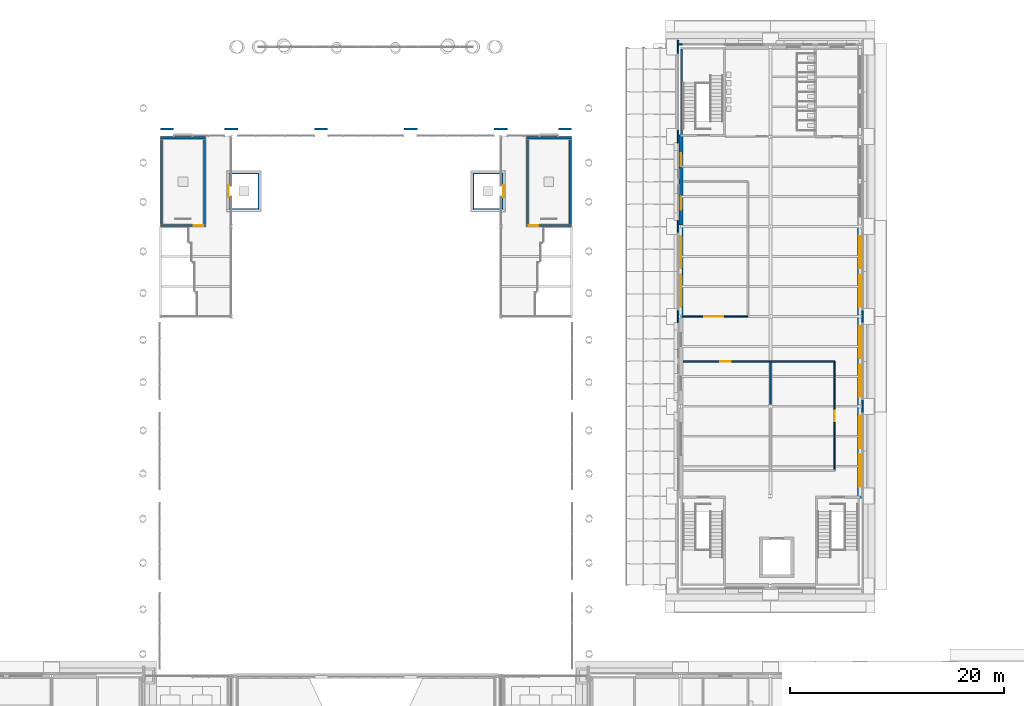
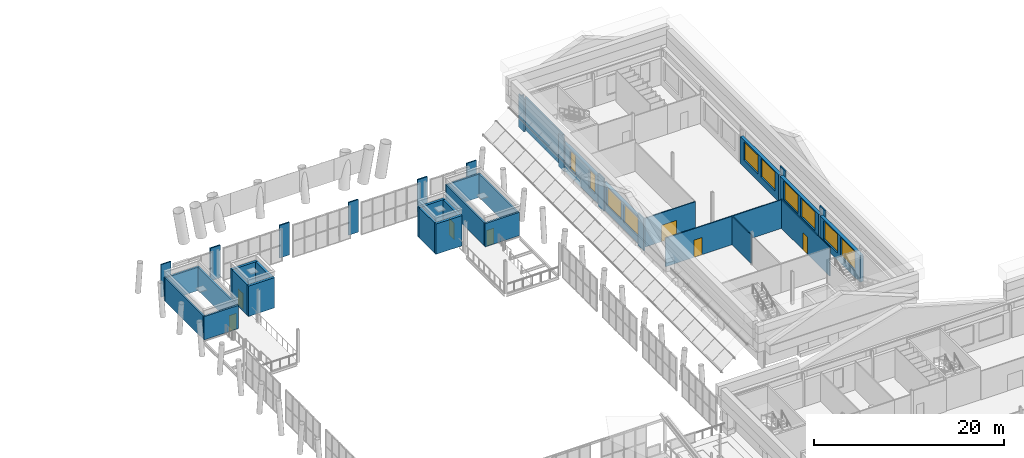
# One storey, part 46 of 76: 40 walls, 10 windows, 7 doors, 17 openings.
"""IFC4 building model written with IfcOpenShell, lengths in metres."""

from ifc_helpers import new_model, si_unit, direction, frame, frame_2d, origin, place, context, subcontext, project, spatial, rectangle, extrude, material, layer, layer_set, type_object, element, fill, save


model = new_model("IFC4")

# Units and contexts
model_context = context("Model", 3, precision=1e-05, world=origin(), true_north=direction((0.0, 1.0)))
body_context = subcontext(model_context, "Body", "Model", "MODEL_VIEW")
ifc_project = project(units=[si_unit("LENGTHUNIT", "METRE"), si_unit("AREAUNIT", "SQUARE_METRE"), si_unit("VOLUMEUNIT", "CUBIC_METRE"), si_unit("PLANEANGLEUNIT", "RADIAN"), si_unit("MASSUNIT", "GRAM", prefix="KILO")], contexts=[model_context])

# Site, building, storey
site_placement = place(None, origin())
site = spatial("IfcSite", under=ifc_project, at=site_placement, CompositionType="ELEMENT")
building_placement = place(site_placement, origin())
building = spatial("IfcBuilding", under=site, at=building_placement, Name="Sava Quay Ferry Terminal", CompositionType="ELEMENT")
storey_placement = place(building_placement, frame((0.0, 0.0, 10.800048828125)))
storey = spatial("IfcBuildingStorey", under=building, at=storey_placement, Name="L02", CompositionType="ELEMENT", Elevation=10.800048828125)

# Walls
ifc_material_1 = material(Name="Limestone Mutalj", Category="masonry")
ifc_layer_1 = layer(ifc_material_1, 0.14990234375)
ifc_layer_set_1 = layer_set([ifc_layer_1], Name="Limestone Mutalj")
wall_type_1 = type_object("IfcWallType", Name="Pier cladding 150", PredefinedType="SOLIDWALL", material=ifc_layer_set_1)
wall_1_placement = place(storey_placement, frame((92.10009765625, 109.43505859375, 0.0), z_axis=(0.0, 0.0, 1.0), x_axis=(1.0, 0.0, 0.0)))
element("IfcWall", 1, at=wall_1_placement, inside=storey, type_object=wall_type_1, Name="Pier O-N grid 92.4", PredefinedType="SOLIDWALL", context=body_context, shape_type="SweptSolid", body=[
    extrude(rectangle(XDim=0.449951171875, YDim=0.14990234375, at=frame_2d((0.22509765625, 0.0))), origin(), (0.0, 0.0, 1.0), 4.199951171875),
])
wall_2_placement = place(storey_placement, frame((109.425048828125, 75.0, 0.0), z_axis=(0.0, 0.0, 1.0), x_axis=(0.0, 1.0, 0.0)))
element("IfcWall", 2, at=wall_2_placement, inside=storey, type_object=wall_type_1, Name="Pier O-E grid 75.6", PredefinedType="SOLIDWALL", context=body_context, shape_type="SweptSolid", body=[
    extrude(rectangle(XDim=1.199951171875, YDim=0.14990234375, at=frame_2d((0.60009765625, 0.0))), origin(), (0.0, 0.0, 1.0), 4.199951171875),
])
for number, where, z_axis, x_axis, name in (
    (3, (109.425048828125, 83.39990234375, 0.0), (0.0, 0.0, 1.0), (0.0, 1.0, 0.0), "Pier O-E grid 84"),
    (4, (92.175048828125, 83.39990234375, 0.0), (0.0, 0.0, 1.0), (0.0, 1.0, 0.0), "Pier O-W grid 84"),
):
    element("IfcWall", number, at=place(storey_placement, frame(where, z_axis=z_axis, x_axis=x_axis)), inside=storey, type_object=wall_type_1, Name=name, PredefinedType="SOLIDWALL", context=body_context, shape_type="SweptSolid", body=[
        extrude(rectangle(XDim=1.2001953125, YDim=0.14990234375, at=frame_2d((0.60009765625, 0.0))), origin(), (0.0, 0.0, 1.0), 4.199951171875),
    ])
for number, where, z_axis, x_axis, name in (
    (5, (92.175048828125, 91.800048828125, 0.0), (0.0, 0.0, 1.0), (0.0, 1.0, 0.0), "Pier O-W grid 92.4"),
    (6, (92.175048828125, 100.199951171875, 0.0), (0.0, 0.0, 1.0), (0.0, 1.0, 0.0), "Pier O-W grid 100.8"),
    (7, (92.175048828125, 108.60009765625, 0.0), (0.0, 0.0, 1.0), (0.0, 1.0, 0.0), "Pier O-W grid 109.2"),
    (8, (43.800048828125, 101.52490234375, 0.0), (0.0, 0.0, 1.0), (1.0, 0.0, 0.0), "Pier D-N 44.4"),
    (9, (49.800048828125, 101.52490234375, 0.0), (0.0, 0.0, 1.0), (1.0, 0.0, 0.0), "Pier D-N 50.4"),
    (10, (58.199951171875, 101.52490234375, 0.0), (0.0, 0.0, 1.0), (1.0, 0.0, 0.0), "Pier D-N 58.8"),
    (11, (66.60009765625, 101.52490234375, 0.0), (0.0, 0.0, 1.0), (1.0, 0.0, 0.0), "Pier D-N 67.2"),
    (12, (75.0, 101.52490234375, 0.0), (0.0, 0.0, 1.0), (1.0, 0.0, 0.0), "Pier D-N 75.6"),
    (13, (81.0, 101.52490234375, 0.0), (0.0, 0.0, 1.0), (1.0, 0.0, 0.0), "Pier D-N 81.6"),
):
    element("IfcWall", number, at=place(storey_placement, frame(where, z_axis=z_axis, x_axis=x_axis)), inside=storey, type_object=wall_type_1, Name=name, PredefinedType="SOLIDWALL", context=body_context, shape_type="SweptSolid", body=[
        extrude(rectangle(XDim=1.199951171875, YDim=0.14990234375, at=frame_2d((0.60009765625, 0.0))), origin(), (0.0, 0.0, 1.0), 4.199951171875),
    ])

# Wall, opening, door
ifc_material_2 = material(Name="Concrete C35/45", Category="concrete")
ifc_layer_2 = layer(ifc_material_2, 0.199951171875)
ifc_layer_set_2 = layer_set([ifc_layer_2], Name="Concrete C35/45")
wall_type_2 = type_object("IfcWallType", Name="RC core wall 200", PredefinedType="SHEAR", material=ifc_layer_set_2)
wall_3_placement = place(storey_placement, frame((43.800048828125, 92.5, 0.0), z_axis=(0.0, 0.0, 1.0), x_axis=(1.0, 0.0, 0.0)))
wall_3 = element("IfcWall", 14, at=wall_3_placement, inside=storey, type_object=wall_type_2, Name="Core wall ST-D5 S L02", PredefinedType="SHEAR", context=body_context, shape_type="SweptSolid", body=[
    extrude(rectangle(XDim=4.199951171875, YDim=0.199951171875, at=frame_2d((2.10009765625, 0.0))), origin(), (0.0, 0.0, 1.0), 3.0),
])
opening_1_placement = place(wall_3_placement, frame((3.080078125, 0.0, 0.0)))
opening_1 = element("IfcOpeningElement", 15, at=opening_1_placement, cuts=wall_3, Name="Opening DS0204", PredefinedType="OPENING", context=body_context, shape_type="SweptSolid", body=[
    extrude(rectangle(XDim=0.89990234375, YDim=2.0, at=frame_2d((0.449951171875, 1.0))), frame((0.0, 0.10009765625, 0.0), z_axis=(0.0, -1.0, 0.0), x_axis=(1.0, 0.0, 0.0)), (0.0, 0.0, 1.0), 0.199951171875),
])
ifc_material_3 = material(Name="Steel fire door set", Category="steel")
door_type_1 = type_object("IfcDoorType", Name="Stair fire door 900 x 2000", OperationType="NOTDEFINED", PredefinedType="DOOR", material=ifc_material_3)
door_1_placement = place(opening_1_placement, origin())
door_1 = element("IfcDoor", 16, at=door_1_placement, inside=storey, type_object=door_type_1, Name="Door DS0204", OperationType="SINGLE_SWING_RIGHT", OverallHeight=2.0, OverallWidth=0.89990234375, PredefinedType="DOOR", context=body_context, shape_type="SweptSolid", body=[
    extrude(rectangle(XDim=0.89990234375, YDim=2.0, at=frame_2d((0.449951171875, 1.0))), frame((0.0, 0.02490234375, 0.0), z_axis=(0.0, -1.0, 0.0), x_axis=(1.0, 0.0, 0.0)), (0.0, 0.0, 1.0), 0.050048828125),
])
fill(opening_1, door_1)

# Walls
wall_4_placement = place(storey_placement, frame((43.800048828125, 100.699951171875, 0.0), z_axis=(0.0, 0.0, 1.0), x_axis=(1.0, 0.0, 0.0)))
element("IfcWall", 17, at=wall_4_placement, inside=storey, type_object=wall_type_2, Name="Core wall ST-D5 N L02", PredefinedType="SHEAR", context=body_context, shape_type="SweptSolid", body=[
    extrude(rectangle(XDim=4.199951171875, YDim=0.199951171875, at=frame_2d((2.10009765625, 0.0))), origin(), (0.0, 0.0, 1.0), 3.0),
])
for number, where, z_axis, x_axis, name in (
    (18, (43.89990234375, 92.60009765625, 0.0), (0.0, 0.0, 1.0), (0.0, 1.0, 0.0), "Core wall ST-D5 W L02"),
    (19, (47.89990234375, 92.60009765625, 0.0), (0.0, 0.0, 1.0), (0.0, 1.0, 0.0), "Core wall ST-D5 E L02"),
):
    element("IfcWall", number, at=place(storey_placement, frame(where, z_axis=z_axis, x_axis=x_axis)), inside=storey, type_object=wall_type_2, Name=name, PredefinedType="SHEAR", context=body_context, shape_type="SweptSolid", body=[
        extrude(rectangle(XDim=8.0, YDim=0.199951171875, at=frame_2d((4.0, 0.0))), origin(), (0.0, 0.0, 1.0), 3.0),
    ])

# Wall, opening, door
wall_5_placement = place(storey_placement, frame((78.0, 92.5, 0.0), z_axis=(0.0, 0.0, 1.0), x_axis=(1.0, 0.0, 0.0)))
wall_5 = element("IfcWall", 20, at=wall_5_placement, inside=storey, type_object=wall_type_2, Name="Core wall ST-D6 S L02", PredefinedType="SHEAR", context=body_context, shape_type="SweptSolid", body=[
    extrude(rectangle(XDim=4.199951171875, YDim=0.199951171875, at=frame_2d((2.10009765625, 0.0))), origin(), (0.0, 0.0, 1.0), 3.0),
])
opening_2_placement = place(wall_5_placement, frame((0.219970703125, 0.0, 0.0)))
opening_2 = element("IfcOpeningElement", 21, at=opening_2_placement, cuts=wall_5, Name="Opening DS0205", PredefinedType="OPENING", context=body_context, shape_type="SweptSolid", body=[
    extrude(rectangle(XDim=0.89990234375, YDim=2.0, at=frame_2d((0.449951171875, 1.0))), frame((0.0, 0.10009765625, 0.0), z_axis=(0.0, -1.0, 0.0), x_axis=(1.0, 0.0, 0.0)), (0.0, 0.0, 1.0), 0.199951171875),
])
door_2_placement = place(opening_2_placement, origin())
door_2 = element("IfcDoor", 22, at=door_2_placement, inside=storey, type_object=door_type_1, Name="Door DS0205", OperationType="SINGLE_SWING_LEFT", OverallHeight=2.0, OverallWidth=0.89990234375, PredefinedType="DOOR", context=body_context, shape_type="SweptSolid", body=[
    extrude(rectangle(XDim=0.89990234375, YDim=2.0, at=frame_2d((0.449951171875, 1.0))), frame((0.0, 0.02490234375, 0.0), z_axis=(0.0, -1.0, 0.0), x_axis=(1.0, 0.0, 0.0)), (0.0, 0.0, 1.0), 0.050048828125),
])
fill(opening_2, door_2)

# Walls
wall_6_placement = place(storey_placement, frame((78.0, 100.699951171875, 0.0), z_axis=(0.0, 0.0, 1.0), x_axis=(1.0, 0.0, 0.0)))
element("IfcWall", 23, at=wall_6_placement, inside=storey, type_object=wall_type_2, Name="Core wall ST-D6 N L02", PredefinedType="SHEAR", context=body_context, shape_type="SweptSolid", body=[
    extrude(rectangle(XDim=4.199951171875, YDim=0.199951171875, at=frame_2d((2.10009765625, 0.0))), origin(), (0.0, 0.0, 1.0), 3.0),
])
for number, where, z_axis, x_axis, name in (
    (24, (78.10009765625, 92.60009765625, 0.0), (0.0, 0.0, 1.0), (0.0, 1.0, 0.0), "Core wall ST-D6 W L02"),
    (25, (82.10009765625, 92.60009765625, 0.0), (0.0, 0.0, 1.0), (0.0, 1.0, 0.0), "Core wall ST-D6 E L02"),
):
    element("IfcWall", number, at=place(storey_placement, frame(where, z_axis=z_axis, x_axis=x_axis)), inside=storey, type_object=wall_type_2, Name=name, PredefinedType="SHEAR", context=body_context, shape_type="SweptSolid", body=[
        extrude(rectangle(XDim=8.0, YDim=0.199951171875, at=frame_2d((4.0, 0.0))), origin(), (0.0, 0.0, 1.0), 3.0),
    ])
wall_7_placement = place(storey_placement, frame((92.5, 101.0, 0.0), z_axis=(0.0, 0.0, 1.0), x_axis=(0.0, 1.0, 0.0)))
element("IfcWall", 26, at=wall_7_placement, inside=storey, type_object=wall_type_2, Name="Core wall ST-O3 W L02", PredefinedType="SHEAR", context=body_context, shape_type="SweptSolid", body=[
    extrude(rectangle(XDim=8.0, YDim=0.199951171875, at=frame_2d((4.0, 0.0))), origin(), (0.0, 0.0, 1.0), 4.199951171875),
])
ifc_material_4 = material(Name="Concrete C35/45", Category="concrete")
ifc_layer_3 = layer(ifc_material_4, 0.300048828125)
ifc_layer_set_3 = layer_set([ifc_layer_3], Name="Concrete C35/45")
wall_type_3 = type_object("IfcWallType", Name="RC core wall 300", PredefinedType="SHEAR", material=ifc_layer_set_3)
for number, where, z_axis, x_axis, name in (
    (27, (50.0, 93.949951171875, 0.0), (0.0, 0.0, 1.0), (1.0, 0.0, 0.0), "Core wall LF-D2 S L02"),
    (28, (50.0, 97.449951171875, 0.0), (0.0, 0.0, 1.0), (1.0, 0.0, 0.0), "Core wall LF-D2 N L02"),
):
    element("IfcWall", number, at=place(storey_placement, frame(where, z_axis=z_axis, x_axis=x_axis)), inside=storey, type_object=wall_type_3, Name=name, PredefinedType="SHEAR", context=body_context, shape_type="SweptSolid", body=[
        extrude(rectangle(XDim=3.199951171875, YDim=0.300048828125, at=frame_2d((1.60009765625, 0.0))), origin(), (0.0, 0.0, 1.0), 3.89990234375),
    ])

# Wall, opening, door
wall_8_placement = place(storey_placement, frame((50.14990234375, 94.10009765625, 0.0), z_axis=(0.0, 0.0, 1.0), x_axis=(0.0, 1.0, 0.0)))
wall_8 = element("IfcWall", 29, at=wall_8_placement, inside=storey, type_object=wall_type_3, Name="Core wall LF-D2 W L02", PredefinedType="SHEAR", context=body_context, shape_type="SweptSolid", body=[
    extrude(rectangle(XDim=3.199951171875, YDim=0.300048828125, at=frame_2d((1.60009765625, 0.0))), origin(), (0.0, 0.0, 1.0), 3.89990234375),
])
opening_3_placement = place(wall_8_placement, frame((1.050048828125, 0.0, 0.0)))
opening_3 = element("IfcOpeningElement", 30, at=opening_3_placement, cuts=wall_8, Name="Opening LD0206", PredefinedType="OPENING", context=body_context, shape_type="SweptSolid", body=[
    extrude(rectangle(XDim=1.10009765625, YDim=2.10009765625, at=frame_2d((0.550048828125, 1.050048828125))), frame((0.0, 0.14990234375, 0.0), z_axis=(0.0, -1.0, 0.0), x_axis=(1.0, 0.0, 0.0)), (0.0, 0.0, 1.0), 0.300048828125),
])
ifc_material_5 = material(Name="Stainless steel", Category="steel")
door_type_2 = type_object("IfcDoorType", Name="Lift landing door 1100 x 2100", OperationType="NOTDEFINED", PredefinedType="DOOR", material=ifc_material_5)
door_3_placement = place(opening_3_placement, origin())
door_3 = element("IfcDoor", 31, at=door_3_placement, inside=storey, type_object=door_type_2, Name="Door LD0206", OperationType="SLIDING_TO_RIGHT", OverallHeight=2.10009765625, OverallWidth=1.10009765625, PredefinedType="DOOR", context=body_context, shape_type="SweptSolid", body=[
    extrude(rectangle(XDim=1.10009765625, YDim=2.10009765625, at=frame_2d((0.550048828125, 1.050048828125))), frame((0.0, 0.02490234375, 0.0), z_axis=(0.0, -1.0, 0.0), x_axis=(1.0, 0.0, 0.0)), (0.0, 0.0, 1.0), 0.050048828125),
])
fill(opening_3, door_3)

# Walls
for number, where, z_axis, x_axis, name in (
    (32, (53.050048828125, 94.10009765625, 0.0), (0.0, 0.0, 1.0), (0.0, 1.0, 0.0), "Core wall LF-D2 E L02"),
    (33, (72.800048828125, 93.949951171875, 0.0), (0.0, 0.0, 1.0), (1.0, 0.0, 0.0), "Core wall LF-D3 S L02"),
    (34, (72.800048828125, 97.449951171875, 0.0), (0.0, 0.0, 1.0), (1.0, 0.0, 0.0), "Core wall LF-D3 N L02"),
    (35, (72.949951171875, 94.10009765625, 0.0), (0.0, 0.0, 1.0), (0.0, 1.0, 0.0), "Core wall LF-D3 W L02"),
):
    element("IfcWall", number, at=place(storey_placement, frame(where, z_axis=z_axis, x_axis=x_axis)), inside=storey, type_object=wall_type_3, Name=name, PredefinedType="SHEAR", context=body_context, shape_type="SweptSolid", body=[
        extrude(rectangle(XDim=3.199951171875, YDim=0.300048828125, at=frame_2d((1.60009765625, 0.0))), origin(), (0.0, 0.0, 1.0), 3.89990234375),
    ])

# Wall, opening, door
wall_9_placement = place(storey_placement, frame((75.85009765625, 94.10009765625, 0.0), z_axis=(0.0, 0.0, 1.0), x_axis=(0.0, 1.0, 0.0)))
wall_9 = element("IfcWall", 36, at=wall_9_placement, inside=storey, type_object=wall_type_3, Name="Core wall LF-D3 E L02", PredefinedType="SHEAR", context=body_context, shape_type="SweptSolid", body=[
    extrude(rectangle(XDim=3.199951171875, YDim=0.300048828125, at=frame_2d((1.60009765625, 0.0))), origin(), (0.0, 0.0, 1.0), 3.89990234375),
])
opening_4_placement = place(wall_9_placement, frame((1.050048828125, 0.0, 0.0)))
opening_4 = element("IfcOpeningElement", 37, at=opening_4_placement, cuts=wall_9, Name="Opening LD0207", PredefinedType="OPENING", context=body_context, shape_type="SweptSolid", body=[
    extrude(rectangle(XDim=1.10009765625, YDim=2.10009765625, at=frame_2d((0.550048828125, 1.050048828125))), frame((0.0, 0.14990234375, 0.0), z_axis=(0.0, -1.0, 0.0), x_axis=(1.0, 0.0, 0.0)), (0.0, 0.0, 1.0), 0.300048828125),
])
door_4_placement = place(opening_4_placement, origin())
door_4 = element("IfcDoor", 38, at=door_4_placement, inside=storey, type_object=door_type_2, Name="Door LD0207", OperationType="SLIDING_TO_LEFT", OverallHeight=2.10009765625, OverallWidth=1.10009765625, PredefinedType="DOOR", context=body_context, shape_type="SweptSolid", body=[
    extrude(rectangle(XDim=1.10009765625, YDim=2.10009765625, at=frame_2d((0.550048828125, 1.050048828125))), frame((0.0, 0.02490234375, 0.0), z_axis=(0.0, -1.0, 0.0), x_axis=(1.0, 0.0, 0.0)), (0.0, 0.0, 1.0), 0.050048828125),
])
fill(opening_4, door_4)

# Wall
ifc_material_6 = material(Name="Plasterboard on steel studs", Category="steel")
ifc_layer_4 = layer(ifc_material_6, 0.125)
ifc_layer_set_4 = layer_set([ifc_layer_4], Name="Plasterboard on steel studs")
wall_type_4 = type_object("IfcWallType", Name="Room partition, plasterboard on steel studs 125", PredefinedType="PARTITIONING", material=ifc_layer_set_4)
wall_10_placement = place(storey_placement, frame((100.800048828125, 75.72998046875, 0.0), z_axis=(0.0, 0.0, 1.0), x_axis=(0.0, 1.0, 0.0)))
element("IfcWall", 39, at=wall_10_placement, inside=storey, type_object=wall_type_4, Name="Room partition, plasterboard on steel studs 125", PredefinedType="PARTITIONING", context=body_context, shape_type="SweptSolid", body=[
    extrude(rectangle(XDim=4.070068359375, YDim=0.125, at=frame_2d((2.03515625, 0.0))), origin(), (0.0, 0.0, 1.0), 3.679931640625),
])

# Wall, opening, door
wall_11_placement = place(storey_placement, frame((92.650390625, 79.800048828125, 0.0), z_axis=(0.0, 0.0, 1.0), x_axis=(1.0, 0.0, 0.0)))
wall_11 = element("IfcWall", 40, at=wall_11_placement, inside=storey, type_object=wall_type_4, Name="Room partition, plasterboard on steel studs 125", PredefinedType="PARTITIONING", context=body_context, shape_type="SweptSolid", body=[
    extrude(rectangle(XDim=8.149658203125, YDim=0.125, at=frame_2d((4.07470703125, 0.0))), origin(), (0.0, 0.0, 1.0), 3.679931640625),
])
opening_5_placement = place(wall_11_placement, frame((3.449462890625, 0.0, 0.0)))
opening_5 = element("IfcOpeningElement", 41, at=opening_5_placement, cuts=wall_11, Name="Opening D0219", PredefinedType="OPENING", context=body_context, shape_type="SweptSolid", body=[
    extrude(rectangle(XDim=1.0, YDim=2.199951171875, at=frame_2d((0.5, 1.10009765625))), frame((0.0, 0.0625, 0.0), z_axis=(0.0, -1.0, 0.0), x_axis=(1.0, 0.0, 0.0)), (0.0, 0.0, 1.0), 0.125),
])
ifc_material_7 = material(Name="Timber door set", Category="wood")
door_type_3 = type_object("IfcDoorType", Name="Single door 1000 x 2200", OperationType="NOTDEFINED", PredefinedType="DOOR", material=ifc_material_7)
door_5_placement = place(opening_5_placement, origin())
door_5 = element("IfcDoor", 42, at=door_5_placement, inside=storey, type_object=door_type_3, Name="Door D0219", OperationType="SINGLE_SWING_RIGHT", OverallHeight=2.199951171875, OverallWidth=1.0, PredefinedType="DOOR", context=body_context, shape_type="SweptSolid", body=[
    extrude(rectangle(XDim=1.0, YDim=2.199951171875, at=frame_2d((0.5, 1.10009765625))), frame((0.0, 0.02490234375, 0.0), z_axis=(0.0, -1.0, 0.0), x_axis=(1.0, 0.0, 0.0)), (0.0, 0.0, 1.0), 0.050048828125),
])
fill(opening_5, door_5)

# Wall
wall_12_placement = place(storey_placement, frame((100.800048828125, 79.800048828125, 0.0), z_axis=(0.0, 0.0, 1.0), x_axis=(1.0, 0.0, 0.0)))
element("IfcWall", 43, at=wall_12_placement, inside=storey, type_object=wall_type_4, Name="Room partition, plasterboard on steel studs 125", PredefinedType="PARTITIONING", context=body_context, shape_type="SweptSolid", body=[
    extrude(rectangle(XDim=6.0, YDim=0.125, at=frame_2d((3.0, 0.0))), origin(), (0.0, 0.0, 1.0), 3.679931640625),
])

# Wall, opening, door
wall_13_placement = place(storey_placement, frame((106.800048828125, 69.60009765625, 0.0), z_axis=(0.0, 0.0, 1.0), x_axis=(0.0, 1.0, 0.0)))
wall_13 = element("IfcWall", 44, at=wall_13_placement, inside=storey, type_object=wall_type_4, Name="Room partition, plasterboard on steel studs 125", PredefinedType="PARTITIONING", context=body_context, shape_type="SweptSolid", body=[
    extrude(rectangle(XDim=10.199951171875, YDim=0.125, at=frame_2d((5.10009765625, 0.0))), origin(), (0.0, 0.0, 1.0), 3.7099609375),
])
opening_6_placement = place(wall_13_placement, frame((4.60009765625, 0.0, 0.0)))
opening_6 = element("IfcOpeningElement", 45, at=opening_6_placement, cuts=wall_13, Name="Opening D0220", PredefinedType="OPENING", context=body_context, shape_type="SweptSolid", body=[
    extrude(rectangle(XDim=1.0, YDim=2.199951171875, at=frame_2d((0.5, 1.10009765625))), frame((0.0, 0.0625, 0.0), z_axis=(0.0, -1.0, 0.0), x_axis=(1.0, 0.0, 0.0)), (0.0, 0.0, 1.0), 0.125),
])
door_6_placement = place(opening_6_placement, origin())
door_6 = element("IfcDoor", 46, at=door_6_placement, inside=storey, type_object=door_type_3, Name="Door D0220", OperationType="SINGLE_SWING_LEFT", OverallHeight=2.199951171875, OverallWidth=1.0, PredefinedType="DOOR", context=body_context, shape_type="SweptSolid", body=[
    extrude(rectangle(XDim=1.0, YDim=2.199951171875, at=frame_2d((0.5, 1.10009765625))), frame((0.0, 0.02490234375, 0.0), z_axis=(0.0, -1.0, 0.0), x_axis=(1.0, 0.0, 0.0)), (0.0, 0.0, 1.0), 0.050048828125),
])
fill(opening_6, door_6)

wall_14_placement = place(storey_placement, frame((92.530029296875, 84.0, 0.0), z_axis=(0.0, 0.0, 1.0), x_axis=(1.0, 0.0, 0.0)))
wall_14 = element("IfcWall", 47, at=wall_14_placement, inside=storey, type_object=wall_type_4, Name="Room partition, plasterboard on steel studs 125", PredefinedType="PARTITIONING", context=body_context, shape_type="SweptSolid", body=[
    extrude(rectangle(XDim=6.169921875, YDim=0.125, at=frame_2d((3.0849609375, 0.0))), origin(), (0.0, 0.0, 1.0), 3.7099609375),
])
opening_7_placement = place(wall_14_placement, frame((2.070068359375, 0.0, 0.0)))
opening_7 = element("IfcOpeningElement", 48, at=opening_7_placement, cuts=wall_14, Name="Opening D0221", PredefinedType="OPENING", context=body_context, shape_type="SweptSolid", body=[
    extrude(rectangle(XDim=1.800048828125, YDim=2.10009765625, at=frame_2d((0.89990234375, 1.050048828125))), frame((0.0, 0.0625, 0.0), z_axis=(0.0, -1.0, 0.0), x_axis=(1.0, 0.0, 0.0)), (0.0, 0.0, 1.0), 0.125),
])
ifc_material_8 = material(Name="Timber door set", Category="wood")
door_type_4 = type_object("IfcDoorType", Name="Double door 1800 x 2100", OperationType="NOTDEFINED", PredefinedType="DOOR", material=ifc_material_8)
door_7_placement = place(opening_7_placement, origin())
door_7 = element("IfcDoor", 49, at=door_7_placement, inside=storey, type_object=door_type_4, Name="Door D0221", OperationType="DOUBLE_DOOR_DOUBLE_SWING", OverallHeight=2.10009765625, OverallWidth=1.800048828125, PredefinedType="DOOR", context=body_context, shape_type="SweptSolid", body=[
    extrude(rectangle(XDim=1.800048828125, YDim=2.10009765625, at=frame_2d((0.89990234375, 1.050048828125))), frame((0.0, 0.02490234375, 0.0), z_axis=(0.0, -1.0, 0.0), x_axis=(1.0, 0.0, 0.0)), (0.0, 0.0, 1.0), 0.050048828125),
])
fill(opening_7, door_7)

# Wall, openings, windows
ifc_material_9 = material(Name="Sandstone Bela Voda", Category="masonry")
ifc_layer_5 = layer(ifc_material_9, 0.39990234375)
ifc_layer_set_5 = layer_set([ifc_layer_5], Name="Sandstone Bela Voda")
wall_type_5 = type_object("IfcWallType", Name="Sandstone ashlar infill 400", PredefinedType="SOLIDWALL", material=ifc_layer_set_5)
wall_15_placement = place(storey_placement, frame((109.14990234375, 67.0, 0.0), z_axis=(0.0, 0.0, 1.0), x_axis=(0.0, 1.0, 0.0)))
wall_15 = element("IfcWall", 50, at=wall_15_placement, inside=storey, type_object=wall_type_5, Name="External wall O-E", PredefinedType="SOLIDWALL", context=body_context, shape_type="SweptSolid", body=[
    extrude(rectangle(XDim=8.469970703125, YDim=0.39990234375, at=frame_2d((4.23486328125, 0.0))), origin(), (0.0, 0.0, 1.0), 3.449951171875),
])
opening_8_placement = place(wall_15_placement, frame((1.10009765625, 0.0, 0.89990234375)))
opening_8 = element("IfcOpeningElement", 51, at=opening_8_placement, cuts=wall_15, Name="Opening W-C", PredefinedType="OPENING", context=body_context, shape_type="SweptSolid", body=[
    extrude(rectangle(XDim=3.0, YDim=2.39990234375, at=frame_2d((1.5, 1.199951171875))), frame((0.0, 0.199951171875, 0.0), z_axis=(0.0, -1.0, 0.0), x_axis=(1.0, 0.0, 0.0)), (0.0, 0.0, 1.0), 0.39990234375),
])
opening_9_placement = place(wall_15_placement, frame((4.699951171875, 0.0, 0.89990234375)))
opening_9 = element("IfcOpeningElement", 52, at=opening_9_placement, cuts=wall_15, Name="Opening W-C", PredefinedType="OPENING", context=body_context, shape_type="SweptSolid", body=[
    extrude(rectangle(XDim=3.0, YDim=2.39990234375, at=frame_2d((1.5, 1.199951171875))), frame((0.0, 0.199951171875, 0.0), z_axis=(0.0, -1.0, 0.0), x_axis=(1.0, 0.0, 0.0)), (0.0, 0.0, 1.0), 0.39990234375),
])
ifc_material_10 = material(Name="Aluminium bronze anodised frame, glazing double low-e Ug 1.1", Category="aluminium")
window_type_1 = type_object("IfcWindowType", Name="Attic-storey window 3000x2400", PartitioningType="SINGLE_PANEL", PredefinedType="WINDOW", material=ifc_material_10)
window_1_placement = place(opening_8_placement, origin())
window_1 = element("IfcWindow", 53, at=window_1_placement, inside=storey, type_object=window_type_1, Name="Window W-C", OverallHeight=2.39990234375, OverallWidth=3.0, PartitioningType="SINGLE_PANEL", PredefinedType="WINDOW", context=body_context, shape_type="SweptSolid", body=[
    extrude(rectangle(XDim=3.0, YDim=2.39990234375, at=frame_2d((1.5, 1.199951171875))), frame((0.0, 0.030029296875, 0.0), z_axis=(0.0, -1.0, 0.0), x_axis=(1.0, 0.0, 0.0)), (0.0, 0.0, 1.0), 0.06005859375),
])
fill(opening_8, window_1)
window_2_placement = place(opening_9_placement, origin())
window_2 = element("IfcWindow", 54, at=window_2_placement, inside=storey, type_object=window_type_1, Name="Window W-C", OverallHeight=2.39990234375, OverallWidth=3.0, PartitioningType="SINGLE_PANEL", PredefinedType="WINDOW", context=body_context, shape_type="SweptSolid", body=[
    extrude(rectangle(XDim=3.0, YDim=2.39990234375, at=frame_2d((1.5, 1.199951171875))), frame((0.0, 0.030029296875, 0.0), z_axis=(0.0, -1.0, 0.0), x_axis=(1.0, 0.0, 0.0)), (0.0, 0.0, 1.0), 0.06005859375),
])
fill(opening_9, window_2)

wall_16_placement = place(storey_placement, frame((109.14990234375, 75.72998046875, 0.0), z_axis=(0.0, 0.0, 1.0), x_axis=(0.0, 1.0, 0.0)))
wall_16 = element("IfcWall", 55, at=wall_16_placement, inside=storey, type_object=wall_type_5, Name="External wall O-E", PredefinedType="SOLIDWALL", context=body_context, shape_type="SweptSolid", body=[
    extrude(rectangle(XDim=8.14013671875, YDim=0.39990234375, at=frame_2d((4.070068359375, 0.0))), origin(), (0.0, 0.0, 1.0), 3.449951171875),
])
opening_10_placement = place(wall_16_placement, frame((0.77001953125, 0.0, 0.89990234375)))
opening_10 = element("IfcOpeningElement", 56, at=opening_10_placement, cuts=wall_16, Name="Opening W-C", PredefinedType="OPENING", context=body_context, shape_type="SweptSolid", body=[
    extrude(rectangle(XDim=3.0, YDim=2.39990234375, at=frame_2d((1.5, 1.199951171875))), frame((0.0, 0.199951171875, 0.0), z_axis=(0.0, -1.0, 0.0), x_axis=(1.0, 0.0, 0.0)), (0.0, 0.0, 1.0), 0.39990234375),
])
opening_11_placement = place(wall_16_placement, frame((4.3701171875, 0.0, 0.89990234375)))
opening_11 = element("IfcOpeningElement", 57, at=opening_11_placement, cuts=wall_16, Name="Opening W-C", PredefinedType="OPENING", context=body_context, shape_type="SweptSolid", body=[
    extrude(rectangle(XDim=3.0, YDim=2.39990234375, at=frame_2d((1.5, 1.199951171875))), frame((0.0, 0.199951171875, 0.0), z_axis=(0.0, -1.0, 0.0), x_axis=(1.0, 0.0, 0.0)), (0.0, 0.0, 1.0), 0.39990234375),
])
window_3_placement = place(opening_10_placement, origin())
window_3 = element("IfcWindow", 58, at=window_3_placement, inside=storey, type_object=window_type_1, Name="Window W-C", OverallHeight=2.39990234375, OverallWidth=3.0, PartitioningType="SINGLE_PANEL", PredefinedType="WINDOW", context=body_context, shape_type="SweptSolid", body=[
    extrude(rectangle(XDim=3.0, YDim=2.39990234375, at=frame_2d((1.5, 1.199951171875))), frame((0.0, 0.030029296875, 0.0), z_axis=(0.0, -1.0, 0.0), x_axis=(1.0, 0.0, 0.0)), (0.0, 0.0, 1.0), 0.06005859375),
])
fill(opening_10, window_3)
window_4_placement = place(opening_11_placement, origin())
window_4 = element("IfcWindow", 59, at=window_4_placement, inside=storey, type_object=window_type_1, Name="Window W-C", OverallHeight=2.39990234375, OverallWidth=3.0, PartitioningType="SINGLE_PANEL", PredefinedType="WINDOW", context=body_context, shape_type="SweptSolid", body=[
    extrude(rectangle(XDim=3.0, YDim=2.39990234375, at=frame_2d((1.5, 1.199951171875))), frame((0.0, 0.030029296875, 0.0), z_axis=(0.0, -1.0, 0.0), x_axis=(1.0, 0.0, 0.0)), (0.0, 0.0, 1.0), 0.06005859375),
])
fill(opening_11, window_4)

wall_17_placement = place(storey_placement, frame((109.14990234375, 84.1298828125, 0.0), z_axis=(0.0, 0.0, 1.0), x_axis=(0.0, 1.0, 0.0)))
wall_17 = element("IfcWall", 60, at=wall_17_placement, inside=storey, type_object=wall_type_5, Name="External wall O-E", PredefinedType="SOLIDWALL", context=body_context, shape_type="SweptSolid", body=[
    extrude(rectangle(XDim=8.14013671875, YDim=0.39990234375, at=frame_2d((4.070068359375, 0.0))), origin(), (0.0, 0.0, 1.0), 3.449951171875),
])
opening_12_placement = place(wall_17_placement, frame((0.77001953125, 0.0, 0.89990234375)))
opening_12 = element("IfcOpeningElement", 61, at=opening_12_placement, cuts=wall_17, Name="Opening W-C", PredefinedType="OPENING", context=body_context, shape_type="SweptSolid", body=[
    extrude(rectangle(XDim=3.0, YDim=2.39990234375, at=frame_2d((1.5, 1.199951171875))), frame((0.0, 0.199951171875, 0.0), z_axis=(0.0, -1.0, 0.0), x_axis=(1.0, 0.0, 0.0)), (0.0, 0.0, 1.0), 0.39990234375),
])
opening_13_placement = place(wall_17_placement, frame((4.3701171875, 0.0, 0.89990234375)))
opening_13 = element("IfcOpeningElement", 62, at=opening_13_placement, cuts=wall_17, Name="Opening W-C", PredefinedType="OPENING", context=body_context, shape_type="SweptSolid", body=[
    extrude(rectangle(XDim=3.0, YDim=2.39990234375, at=frame_2d((1.5, 1.199951171875))), frame((0.0, 0.199951171875, 0.0), z_axis=(0.0, -1.0, 0.0), x_axis=(1.0, 0.0, 0.0)), (0.0, 0.0, 1.0), 0.39990234375),
])
window_5_placement = place(opening_12_placement, origin())
window_5 = element("IfcWindow", 63, at=window_5_placement, inside=storey, type_object=window_type_1, Name="Window W-C", OverallHeight=2.39990234375, OverallWidth=3.0, PartitioningType="SINGLE_PANEL", PredefinedType="WINDOW", context=body_context, shape_type="SweptSolid", body=[
    extrude(rectangle(XDim=3.0, YDim=2.39990234375, at=frame_2d((1.5, 1.199951171875))), frame((0.0, 0.030029296875, 0.0), z_axis=(0.0, -1.0, 0.0), x_axis=(1.0, 0.0, 0.0)), (0.0, 0.0, 1.0), 0.06005859375),
])
fill(opening_12, window_5)
window_6_placement = place(opening_13_placement, origin())
window_6 = element("IfcWindow", 64, at=window_6_placement, inside=storey, type_object=window_type_1, Name="Window W-C", OverallHeight=2.39990234375, OverallWidth=3.0, PartitioningType="SINGLE_PANEL", PredefinedType="WINDOW", context=body_context, shape_type="SweptSolid", body=[
    extrude(rectangle(XDim=3.0, YDim=2.39990234375, at=frame_2d((1.5, 1.199951171875))), frame((0.0, 0.030029296875, 0.0), z_axis=(0.0, -1.0, 0.0), x_axis=(1.0, 0.0, 0.0)), (0.0, 0.0, 1.0), 0.06005859375),
])
fill(opening_13, window_6)

wall_18_placement = place(storey_placement, frame((92.449951171875, 84.1298828125, 0.0), z_axis=(0.0, 0.0, 1.0), x_axis=(0.0, 1.0, 0.0)))
wall_18 = element("IfcWall", 65, at=wall_18_placement, inside=storey, type_object=wall_type_5, Name="External wall O-W", PredefinedType="SOLIDWALL", context=body_context, shape_type="SweptSolid", body=[
    extrude(rectangle(XDim=8.14013671875, YDim=0.39990234375, at=frame_2d((4.070068359375, 0.0))), origin(), (0.0, 0.0, 1.0), 3.449951171875),
])
opening_14_placement = place(wall_18_placement, frame((0.77001953125, 0.0, 0.89990234375)))
opening_14 = element("IfcOpeningElement", 66, at=opening_14_placement, cuts=wall_18, Name="Opening W-C", PredefinedType="OPENING", context=body_context, shape_type="SweptSolid", body=[
    extrude(rectangle(XDim=3.0, YDim=2.39990234375, at=frame_2d((1.5, 1.199951171875))), frame((0.0, 0.199951171875, 0.0), z_axis=(0.0, -1.0, 0.0), x_axis=(1.0, 0.0, 0.0)), (0.0, 0.0, 1.0), 0.39990234375),
])
opening_15_placement = place(wall_18_placement, frame((4.3701171875, 0.0, 0.89990234375)))
opening_15 = element("IfcOpeningElement", 67, at=opening_15_placement, cuts=wall_18, Name="Opening W-C", PredefinedType="OPENING", context=body_context, shape_type="SweptSolid", body=[
    extrude(rectangle(XDim=3.0, YDim=2.39990234375, at=frame_2d((1.5, 1.199951171875))), frame((0.0, 0.199951171875, 0.0), z_axis=(0.0, -1.0, 0.0), x_axis=(1.0, 0.0, 0.0)), (0.0, 0.0, 1.0), 0.39990234375),
])
window_7_placement = place(opening_14_placement, origin())
window_7 = element("IfcWindow", 68, at=window_7_placement, inside=storey, type_object=window_type_1, Name="Window W-C", OverallHeight=2.39990234375, OverallWidth=3.0, PartitioningType="SINGLE_PANEL", PredefinedType="WINDOW", context=body_context, shape_type="SweptSolid", body=[
    extrude(rectangle(XDim=3.0, YDim=2.39990234375, at=frame_2d((1.5, 1.199951171875))), frame((0.0, 0.030029296875, 0.0), z_axis=(0.0, -1.0, 0.0), x_axis=(1.0, 0.0, 0.0)), (0.0, 0.0, 1.0), 0.06005859375),
])
fill(opening_14, window_7)
window_8_placement = place(opening_15_placement, origin())
window_8 = element("IfcWindow", 69, at=window_8_placement, inside=storey, type_object=window_type_1, Name="Window W-C", OverallHeight=2.39990234375, OverallWidth=3.0, PartitioningType="SINGLE_PANEL", PredefinedType="WINDOW", context=body_context, shape_type="SweptSolid", body=[
    extrude(rectangle(XDim=3.0, YDim=2.39990234375, at=frame_2d((1.5, 1.199951171875))), frame((0.0, 0.030029296875, 0.0), z_axis=(0.0, -1.0, 0.0), x_axis=(1.0, 0.0, 0.0)), (0.0, 0.0, 1.0), 0.06005859375),
])
fill(opening_15, window_8)

wall_19_placement = place(storey_placement, frame((92.449951171875, 92.530029296875, 0.0), z_axis=(0.0, 0.0, 1.0), x_axis=(0.0, 1.0, 0.0)))
wall_19 = element("IfcWall", 70, at=wall_19_placement, inside=storey, type_object=wall_type_5, Name="External wall O-W", PredefinedType="SOLIDWALL", context=body_context, shape_type="SweptSolid", body=[
    extrude(rectangle(XDim=8.469970703125, YDim=0.39990234375, at=frame_2d((4.23486328125, 0.0))), origin(), (0.0, 0.0, 1.0), 3.449951171875),
])
opening_16_placement = place(wall_19_placement, frame((1.438720703125, 0.0, 0.89990234375)))
opening_16 = element("IfcOpeningElement", 71, at=opening_16_placement, cuts=wall_19, Name="Opening W-E2", PredefinedType="OPENING", context=body_context, shape_type="SweptSolid", body=[
    extrude(rectangle(XDim=1.199951171875, YDim=2.39990234375, at=frame_2d((0.60009765625, 1.199951171875))), frame((0.0, 0.199951171875, 0.0), z_axis=(0.0, -1.0, 0.0), x_axis=(1.0, 0.0, 0.0)), (0.0, 0.0, 1.0), 0.39990234375),
])
opening_17_placement = place(wall_19_placement, frame((5.501220703125, 0.0, 0.89990234375)))
opening_17 = element("IfcOpeningElement", 72, at=opening_17_placement, cuts=wall_19, Name="Opening W-E2", PredefinedType="OPENING", context=body_context, shape_type="SweptSolid", body=[
    extrude(rectangle(XDim=1.199951171875, YDim=2.39990234375, at=frame_2d((0.60009765625, 1.199951171875))), frame((0.0, 0.199951171875, 0.0), z_axis=(0.0, -1.0, 0.0), x_axis=(1.0, 0.0, 0.0)), (0.0, 0.0, 1.0), 0.39990234375),
])
ifc_material_11 = material(Name="Aluminium bronze anodised frame, glazing double low-e Ug 1.1", Category="aluminium")
window_type_2 = type_object("IfcWindowType", Name="Upper sidelight 1200x2400", PartitioningType="SINGLE_PANEL", PredefinedType="WINDOW", material=ifc_material_11)
window_9_placement = place(opening_16_placement, origin())
window_9 = element("IfcWindow", 73, at=window_9_placement, inside=storey, type_object=window_type_2, Name="Window W-E2", OverallHeight=2.39990234375, OverallWidth=1.199951171875, PartitioningType="SINGLE_PANEL", PredefinedType="WINDOW", context=body_context, shape_type="SweptSolid", body=[
    extrude(rectangle(XDim=1.199951171875, YDim=2.39990234375, at=frame_2d((0.60009765625, 1.199951171875))), frame((0.0, 0.030029296875, 0.0), z_axis=(0.0, -1.0, 0.0), x_axis=(1.0, 0.0, 0.0)), (0.0, 0.0, 1.0), 0.06005859375),
])
fill(opening_16, window_9)
window_10_placement = place(opening_17_placement, origin())
window_10 = element("IfcWindow", 74, at=window_10_placement, inside=storey, type_object=window_type_2, Name="Window W-E2", OverallHeight=2.39990234375, OverallWidth=1.199951171875, PartitioningType="SINGLE_PANEL", PredefinedType="WINDOW", context=body_context, shape_type="SweptSolid", body=[
    extrude(rectangle(XDim=1.199951171875, YDim=2.39990234375, at=frame_2d((0.60009765625, 1.199951171875))), frame((0.0, 0.030029296875, 0.0), z_axis=(0.0, -1.0, 0.0), x_axis=(1.0, 0.0, 0.0)), (0.0, 0.0, 1.0), 0.06005859375),
])
fill(opening_17, window_10)

save(model, "model.ifc")
